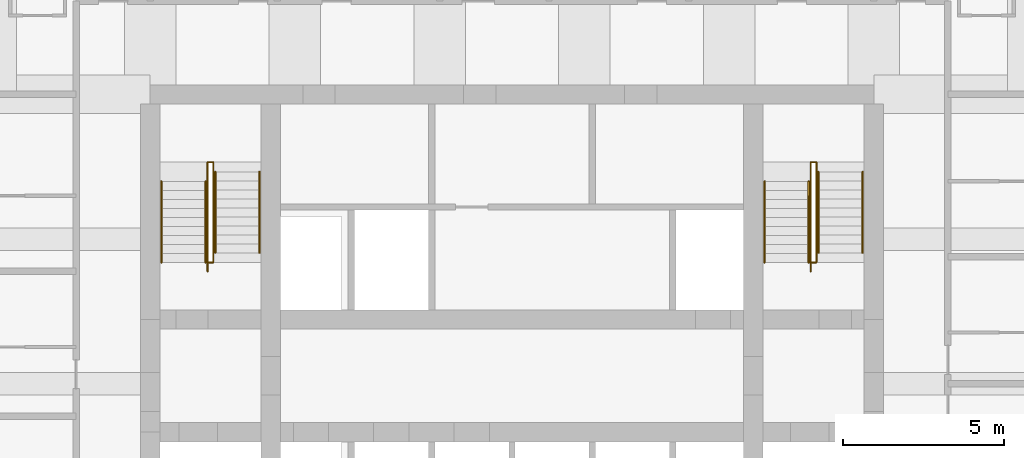
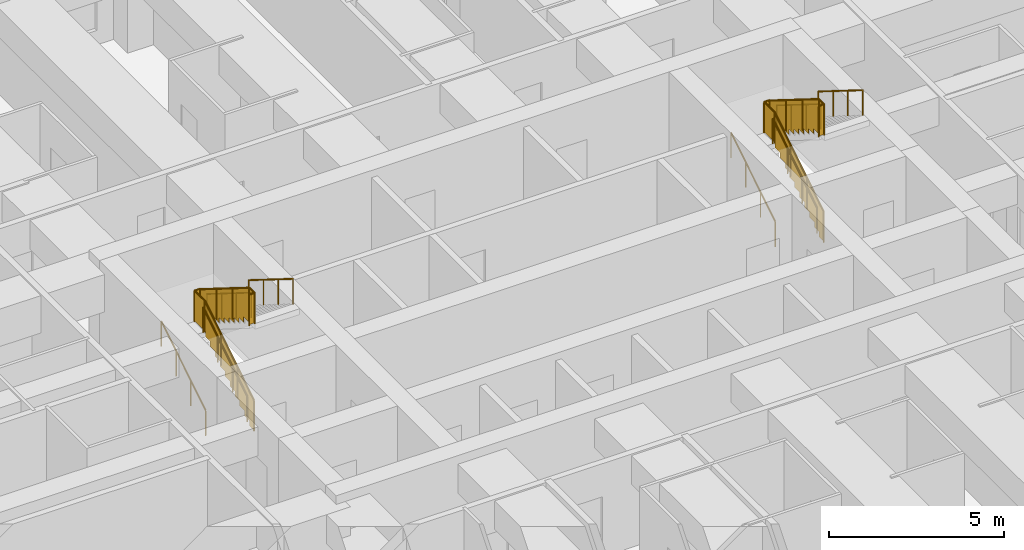
# One storey, part 8 of 8: 12 railings.
"""IFC4 building model written with IfcOpenShell, lengths in metres."""

from ifc_helpers import new_model, si_unit, direction, frame, origin, origin_2d, place, context, subcontext, project, spatial, polyline, circle, outline, extrude, material, type_object, element, save


model = new_model("IFC4")

# Units and contexts
model_context = context("Model", 3, precision=1e-05, world=origin(), true_north=direction((0.0, 1.0)))
body_context = subcontext(model_context, "Body", "Model", "MODEL_VIEW")
ifc_project = project(units=[si_unit("LENGTHUNIT", "METRE"), si_unit("AREAUNIT", "SQUARE_METRE"), si_unit("VOLUMEUNIT", "CUBIC_METRE"), si_unit("PLANEANGLEUNIT", "RADIAN"), si_unit("MASSUNIT", "GRAM", prefix="KILO")], contexts=[model_context])

# Site, building, storey
site_placement = place(None, origin())
site = spatial("IfcSite", under=ifc_project, at=site_placement, CompositionType="ELEMENT")
building_placement = place(site_placement, origin())
building = spatial("IfcBuilding", under=site, at=building_placement, Name="Kilele Tower Hotel", CompositionType="ELEMENT")
storey_placement = place(building_placement, frame((0.0, 0.0, 82.199951171875)))
storey = spatial("IfcBuildingStorey", under=building, at=storey_placement, Name="L20", CompositionType="ELEMENT", Elevation=82.199951171875)

# Railings
ifc_material_1 = material(Name="Steel handrail", Category="steel")
railing_type_1 = type_object("IfcRailingType", Name="Handrail 900", PredefinedType="HANDRAIL", material=ifc_material_1)
for number, where, name in (
    (1, (13.85009765625, 21.77490234375, 0.175048828125), "Handrail ST1 flight 1"),
    (2, (15.22509765625, 21.77490234375, 0.175048828125), "Handrail ST1 flight 1"),
):
    element("IfcRailing", number, at=place(storey_placement, frame(where)), inside=storey, type_object=railing_type_1, Name=name, PredefinedType="HANDRAIL", context=body_context, shape_type="SweptSolid", body=[
        extrude(circle(Radius=0.02490234375, at=origin_2d()), frame((0.0, 0.0, 0.875), z_axis=(0.0, 0.848007534815, 0.529984170421), x_axis=(-1.0, 0.0, 0.0)), (0.0, 0.0, 1.0), 2.9716796875),
        extrude(circle(Radius=0.02001953125, at=origin_2d()), origin(), (0.0, 0.0, 1.0), 0.849853515625),
        extrude(circle(Radius=0.02001953125, at=origin_2d()), frame((0.0, 0.840087890625, 0.52490234375)), (0.0, 0.0, 1.0), 0.849853515625),
        extrude(circle(Radius=0.02001953125, at=origin_2d()), frame((0.0, 1.679931640625, 1.050048828125)), (0.0, 0.0, 1.0), 0.849853515625),
        extrude(circle(Radius=0.02001953125, at=origin_2d()), frame((0.0, 2.52001953125, 1.574951171875)), (0.0, 0.0, 1.0), 0.849853515625),
    ])
for number, where, name in (
    (3, (15.52490234375, 24.594970703125, 1.925048828125), "Handrail ST1 flight 2"),
    (4, (16.89990234375, 24.594970703125, 1.925048828125), "Handrail ST1 flight 2"),
):
    element("IfcRailing", number, at=place(storey_placement, frame(where)), inside=storey, type_object=railing_type_1, Name=name, PredefinedType="HANDRAIL", context=body_context, shape_type="SweptSolid", body=[
        extrude(circle(Radius=0.02490234375, at=origin_2d()), frame((0.0, 0.0, 0.875), z_axis=(0.0, -0.848007534815, 0.529984170421), x_axis=(1.0, 0.0, 0.0)), (0.0, 0.0, 1.0), 2.9716796875),
        extrude(circle(Radius=0.02001953125, at=origin_2d()), origin(), (0.0, 0.0, 1.0), 0.849853515625),
        extrude(circle(Radius=0.02001953125, at=origin_2d()), frame((0.0, -0.840087890625, 0.52490234375)), (0.0, 0.0, 1.0), 0.849853515625),
        extrude(circle(Radius=0.02001953125, at=origin_2d()), frame((0.0, -1.679931640625, 1.050048828125)), (0.0, 0.0, 1.0), 0.849853515625),
        extrude(circle(Radius=0.02001953125, at=origin_2d()), frame((0.0, -2.52001953125, 1.574951171875)), (0.0, 0.0, 1.0), 0.849853515625),
    ])
for number, where, name in (
    (5, (32.60009765625, 21.77490234375, 0.175048828125), "Handrail ST2 flight 1"),
    (6, (33.97509765625, 21.77490234375, 0.175048828125), "Handrail ST2 flight 1"),
):
    element("IfcRailing", number, at=place(storey_placement, frame(where)), inside=storey, type_object=railing_type_1, Name=name, PredefinedType="HANDRAIL", context=body_context, shape_type="SweptSolid", body=[
        extrude(circle(Radius=0.02490234375, at=origin_2d()), frame((0.0, 0.0, 0.875), z_axis=(0.0, 0.848007534815, 0.529984170421), x_axis=(-1.0, 0.0, 0.0)), (0.0, 0.0, 1.0), 2.9716796875),
        extrude(circle(Radius=0.02001953125, at=origin_2d()), origin(), (0.0, 0.0, 1.0), 0.849853515625),
        extrude(circle(Radius=0.02001953125, at=origin_2d()), frame((0.0, 0.840087890625, 0.52490234375)), (0.0, 0.0, 1.0), 0.849853515625),
        extrude(circle(Radius=0.02001953125, at=origin_2d()), frame((0.0, 1.679931640625, 1.050048828125)), (0.0, 0.0, 1.0), 0.849853515625),
        extrude(circle(Radius=0.02001953125, at=origin_2d()), frame((0.0, 2.52001953125, 1.574951171875)), (0.0, 0.0, 1.0), 0.849853515625),
    ])
for number, where, name in (
    (7, (34.27490234375, 24.594970703125, 1.925048828125), "Handrail ST2 flight 2"),
    (8, (35.64990234375, 24.594970703125, 1.925048828125), "Handrail ST2 flight 2"),
):
    element("IfcRailing", number, at=place(storey_placement, frame(where)), inside=storey, type_object=railing_type_1, Name=name, PredefinedType="HANDRAIL", context=body_context, shape_type="SweptSolid", body=[
        extrude(circle(Radius=0.02490234375, at=origin_2d()), frame((0.0, 0.0, 0.875), z_axis=(0.0, -0.848007534815, 0.529984170421), x_axis=(1.0, 0.0, 0.0)), (0.0, 0.0, 1.0), 2.9716796875),
        extrude(circle(Radius=0.02001953125, at=origin_2d()), origin(), (0.0, 0.0, 1.0), 0.849853515625),
        extrude(circle(Radius=0.02001953125, at=origin_2d()), frame((0.0, -0.840087890625, 0.52490234375)), (0.0, 0.0, 1.0), 0.849853515625),
        extrude(circle(Radius=0.02001953125, at=origin_2d()), frame((0.0, -1.679931640625, 1.050048828125)), (0.0, 0.0, 1.0), 0.849853515625),
        extrude(circle(Radius=0.02001953125, at=origin_2d()), frame((0.0, -2.52001953125, 1.574951171875)), (0.0, 0.0, 1.0), 0.849853515625),
    ])
ifc_material_2 = material(Name="Steel guard", Category="steel")
railing_type_2 = type_object("IfcRailingType", Name="Stair guard 1100", PredefinedType="GUARDRAIL", material=ifc_material_2)
railing_1_placement = place(storey_placement, frame((15.284912109375, 21.4951171875, 0.0)))
element("IfcRailing", 9, at=railing_1_placement, inside=storey, type_object=railing_type_2, Name="Stair well guard ST1 flight 1", PredefinedType="GUARDRAIL", context=body_context, shape_type="SweptSolid", body=[
    extrude(circle(Radius=0.02490234375, at=origin_2d()), frame((0.0, 0.0, 1.0751953125), z_axis=(0.0, 0.847981687118, 0.530025526095), x_axis=(-1.0, 0.0, 0.0)), (0.0, 0.0, 1.0), 3.3017578125),
    extrude(circle(Radius=0.02490234375, at=origin_2d()), frame((0.0, 2.7998046875, 2.8251953125), z_axis=(0.0, 1.0, 0.0), x_axis=(-1.0, 0.0, 0.0)), (0.0, 0.0, 1.0), 0.60009765625),
    extrude(circle(Radius=0.02490234375, at=origin_2d()), frame((0.0, 3.39990234375, 2.8251953125), z_axis=(1.0, 0.0, 0.0), x_axis=(0.0, 1.0, 0.0)), (0.0, 0.0, 1.0), 0.18017578125),
    extrude(circle(Radius=0.02490234375, at=origin_2d()), origin(), (0.0, 0.0, 1.0), 1.050048828125),
    extrude(circle(Radius=0.02490234375, at=origin_2d()), frame((0.0, 0.933349609375, 0.583251953125)), (0.0, 0.0, 1.0), 1.050048828125),
    extrude(circle(Radius=0.02490234375, at=origin_2d()), frame((0.0, 1.866455078125, 1.166748046875)), (0.0, 0.0, 1.0), 1.050048828125),
    extrude(circle(Radius=0.02490234375, at=origin_2d()), frame((0.0, 2.7998046875, 1.75)), (0.0, 0.0, 1.0), 1.050048828125),
    extrude(circle(Radius=0.02490234375, at=origin_2d()), frame((0.0, 3.39990234375, 1.75)), (0.0, 0.0, 1.0), 1.050048828125),
    extrude(circle(Radius=0.02490234375, at=origin_2d()), frame((0.18017578125, 3.39990234375, 1.75)), (0.0, 0.0, 1.0), 1.050048828125),
    extrude(outline(polyline([(0.012451171875, 0.030029296875), (0.25, 0.030029296875), (0.25, 0.205078125), (0.530029296875, 0.205078125), (0.530029296875, 0.380126953125), (0.809814453125, 0.380126953125), (0.809814453125, 0.554931640625), (1.08984375, 0.554931640625), (1.08984375, 0.72998046875), (1.369873046875, 0.72998046875), (1.369873046875, 0.905029296875), (1.64990234375, 0.905029296875), (1.64990234375, 1.080078125), (1.929931640625, 1.080078125), (1.929931640625, 1.255126953125), (2.209716796875, 1.255126953125), (2.209716796875, 1.429931640625), (2.48974609375, 1.429931640625), (2.48974609375, 1.60498046875), (2.769775390625, 1.60498046875), (2.769775390625, 1.780029296875), (2.787353515625, 1.780029296875), (2.787353515625, 2.787841796875), (0.012451171875, 1.053466796875), (0.012451171875, 0.030029296875)])), frame((-0.005859375, 0.0, 0.0), z_axis=(1.0, 0.0, 0.0), x_axis=(0.0, 1.0, 0.0)), (0.0, 0.0, 1.0), 0.011962890625),
    extrude(outline(polyline([(0.012451171875, 0.030029296875), (0.587646484375, 0.030029296875), (0.587646484375, 1.050048828125), (0.012451171875, 1.050048828125), (0.012451171875, 0.030029296875)])), frame((-0.005859375, 2.7998046875, 1.75), z_axis=(1.0, 0.0, 0.0), x_axis=(0.0, 1.0, 0.0)), (0.0, 0.0, 1.0), 0.011962890625),
    extrude(outline(polyline([(0.012451171875, 0.030029296875), (0.18017578125, 0.030029296875), (0.18017578125, 1.050048828125), (0.012451171875, 1.050048828125), (0.012451171875, 0.030029296875)])), frame((0.0, 3.40576171875, 1.75), z_axis=(0.0, -1.0, 0.0), x_axis=(1.0, 0.0, 0.0)), (0.0, 0.0, 1.0), 0.011962890625),
])
railing_2_placement = place(storey_placement, frame((15.465087890625, 24.89501953125, 1.75)))
element("IfcRailing", 10, at=railing_2_placement, inside=storey, type_object=railing_type_2, Name="Stair well guard ST1 flight 2", PredefinedType="GUARDRAIL", context=body_context, shape_type="SweptSolid", body=[
    extrude(circle(Radius=0.02490234375, at=origin_2d()), frame((0.0, 0.0, 1.0751953125), z_axis=(0.0, -1.0, 0.0), x_axis=(1.0, 0.0, 0.0)), (0.0, 0.0, 1.0), 0.02001953125),
    extrude(circle(Radius=0.02490234375, at=origin_2d()), frame((0.0, -0.02001953125, 1.0751953125), z_axis=(0.0, -0.848002457836, 0.529992293815), x_axis=(1.0, 0.0, 0.0)), (0.0, 0.0, 1.0), 3.302001953125),
    extrude(circle(Radius=0.02490234375, at=origin_2d()), frame((0.0, -2.820068359375, 2.8251953125), z_axis=(0.0, -1.0, 0.0), x_axis=(1.0, 0.0, 0.0)), (0.0, 0.0, 1.0), 0.300048828125),
    extrude(circle(Radius=0.02490234375, at=origin_2d()), frame((0.0, -3.1201171875, 2.8251953125), z_axis=(-1.0, 0.0, 0.0), x_axis=(0.0, -1.0, 0.0)), (0.0, 0.0, 1.0), 0.18017578125),
    extrude(circle(Radius=0.02490234375, at=origin_2d()), origin(), (0.0, 0.0, 1.0), 1.050048828125),
    extrude(circle(Radius=0.02490234375, at=origin_2d()), frame((0.0, -0.02001953125, 0.0)), (0.0, 0.0, 1.0), 1.050048828125),
    extrude(circle(Radius=0.02490234375, at=origin_2d()), frame((0.0, -0.953369140625, 0.583251953125)), (0.0, 0.0, 1.0), 1.050048828125),
    extrude(circle(Radius=0.02490234375, at=origin_2d()), frame((0.0, -1.88671875, 1.166748046875)), (0.0, 0.0, 1.0), 1.050048828125),
    extrude(circle(Radius=0.02490234375, at=origin_2d()), frame((0.0, -2.820068359375, 1.75)), (0.0, 0.0, 1.0), 1.050048828125),
    extrude(circle(Radius=0.02490234375, at=origin_2d()), frame((0.0, -3.1201171875, 1.75)), (0.0, 0.0, 1.0), 1.050048828125),
    extrude(circle(Radius=0.02490234375, at=origin_2d()), frame((-0.18017578125, -3.1201171875, 1.75)), (0.0, 0.0, 1.0), 1.050048828125),
    extrude(outline(polyline([(0.012451171875, 0.030029296875), (0.25, 0.030029296875), (0.25, 0.205078125), (0.530029296875, 0.205078125), (0.530029296875, 0.380126953125), (0.81005859375, 0.380126953125), (0.81005859375, 0.554931640625), (1.090087890625, 0.554931640625), (1.090087890625, 0.72998046875), (1.3701171875, 0.72998046875), (1.3701171875, 0.905029296875), (1.64990234375, 0.905029296875), (1.64990234375, 1.080078125), (1.929931640625, 1.080078125), (1.929931640625, 1.255126953125), (2.2099609375, 1.255126953125), (2.2099609375, 1.429931640625), (2.489990234375, 1.429931640625), (2.489990234375, 1.60498046875), (2.77001953125, 1.60498046875), (2.77001953125, 1.780029296875), (2.78759765625, 1.780029296875), (2.78759765625, 2.787841796875), (0.012451171875, 1.053466796875), (0.012451171875, 0.030029296875)])), frame((0.005859375, -0.02001953125, 0.0), z_axis=(-1.0, 0.0, 0.0), x_axis=(0.0, -1.0, 0.0)), (0.0, 0.0, 1.0), 0.011962890625),
    extrude(outline(polyline([(0.012451171875, 0.030029296875), (0.28759765625, 0.030029296875), (0.28759765625, 1.050048828125), (0.012451171875, 1.050048828125), (0.012451171875, 0.030029296875)])), frame((0.005859375, -2.820068359375, 1.75), z_axis=(-1.0, 0.0, 0.0), x_axis=(0.0, -1.0, 0.0)), (0.0, 0.0, 1.0), 0.011962890625),
    extrude(outline(polyline([(0.012451171875, 0.030029296875), (0.18017578125, 0.030029296875), (0.18017578125, 1.050048828125), (0.012451171875, 1.050048828125), (0.012451171875, 0.030029296875)])), frame((0.0, -3.1259765625, 1.75), z_axis=(0.0, 1.0, 0.0), x_axis=(-1.0, 0.0, 0.0)), (0.0, 0.0, 1.0), 0.011962890625),
])
railing_3_placement = place(storey_placement, frame((34.034912109375, 21.4951171875, 0.0)))
element("IfcRailing", 11, at=railing_3_placement, inside=storey, type_object=railing_type_2, Name="Stair well guard ST2 flight 1", PredefinedType="GUARDRAIL", context=body_context, shape_type="SweptSolid", body=[
    extrude(circle(Radius=0.02490234375, at=origin_2d()), frame((0.0, 0.0, 1.0751953125), z_axis=(0.0, 0.847981687118, 0.530025526095), x_axis=(-1.0, 0.0, 0.0)), (0.0, 0.0, 1.0), 3.3017578125),
    extrude(circle(Radius=0.02490234375, at=origin_2d()), frame((0.0, 2.7998046875, 2.8251953125), z_axis=(0.0, 1.0, 0.0), x_axis=(-1.0, 0.0, 0.0)), (0.0, 0.0, 1.0), 0.60009765625),
    extrude(circle(Radius=0.02490234375, at=origin_2d()), frame((0.0, 3.39990234375, 2.8251953125), z_axis=(1.0, 0.0, 0.0), x_axis=(0.0, 1.0, 0.0)), (0.0, 0.0, 1.0), 0.18017578125),
    extrude(circle(Radius=0.02490234375, at=origin_2d()), origin(), (0.0, 0.0, 1.0), 1.050048828125),
    extrude(circle(Radius=0.02490234375, at=origin_2d()), frame((0.0, 0.933349609375, 0.583251953125)), (0.0, 0.0, 1.0), 1.050048828125),
    extrude(circle(Radius=0.02490234375, at=origin_2d()), frame((0.0, 1.866455078125, 1.166748046875)), (0.0, 0.0, 1.0), 1.050048828125),
    extrude(circle(Radius=0.02490234375, at=origin_2d()), frame((0.0, 2.7998046875, 1.75)), (0.0, 0.0, 1.0), 1.050048828125),
    extrude(circle(Radius=0.02490234375, at=origin_2d()), frame((0.0, 3.39990234375, 1.75)), (0.0, 0.0, 1.0), 1.050048828125),
    extrude(circle(Radius=0.02490234375, at=origin_2d()), frame((0.18017578125, 3.39990234375, 1.75)), (0.0, 0.0, 1.0), 1.050048828125),
    extrude(outline(polyline([(0.012451171875, 0.030029296875), (0.25, 0.030029296875), (0.25, 0.205078125), (0.530029296875, 0.205078125), (0.530029296875, 0.380126953125), (0.809814453125, 0.380126953125), (0.809814453125, 0.554931640625), (1.08984375, 0.554931640625), (1.08984375, 0.72998046875), (1.369873046875, 0.72998046875), (1.369873046875, 0.905029296875), (1.64990234375, 0.905029296875), (1.64990234375, 1.080078125), (1.929931640625, 1.080078125), (1.929931640625, 1.255126953125), (2.209716796875, 1.255126953125), (2.209716796875, 1.429931640625), (2.48974609375, 1.429931640625), (2.48974609375, 1.60498046875), (2.769775390625, 1.60498046875), (2.769775390625, 1.780029296875), (2.787353515625, 1.780029296875), (2.787353515625, 2.787841796875), (0.012451171875, 1.053466796875), (0.012451171875, 0.030029296875)])), frame((-0.005859375, 0.0, 0.0), z_axis=(1.0, 0.0, 0.0), x_axis=(0.0, 1.0, 0.0)), (0.0, 0.0, 1.0), 0.011962890625),
    extrude(outline(polyline([(0.012451171875, 0.030029296875), (0.587646484375, 0.030029296875), (0.587646484375, 1.050048828125), (0.012451171875, 1.050048828125), (0.012451171875, 0.030029296875)])), frame((-0.005859375, 2.7998046875, 1.75), z_axis=(1.0, 0.0, 0.0), x_axis=(0.0, 1.0, 0.0)), (0.0, 0.0, 1.0), 0.011962890625),
    extrude(outline(polyline([(0.012451171875, 0.030029296875), (0.18017578125, 0.030029296875), (0.18017578125, 1.050048828125), (0.012451171875, 1.050048828125), (0.012451171875, 0.030029296875)])), frame((0.0, 3.40576171875, 1.75), z_axis=(0.0, -1.0, 0.0), x_axis=(1.0, 0.0, 0.0)), (0.0, 0.0, 1.0), 0.011962890625),
])
railing_4_placement = place(storey_placement, frame((34.215087890625, 24.89501953125, 1.75)))
element("IfcRailing", 12, at=railing_4_placement, inside=storey, type_object=railing_type_2, Name="Stair well guard ST2 flight 2", PredefinedType="GUARDRAIL", context=body_context, shape_type="SweptSolid", body=[
    extrude(circle(Radius=0.02490234375, at=origin_2d()), frame((0.0, 0.0, 1.0751953125), z_axis=(0.0, -1.0, 0.0), x_axis=(1.0, 0.0, 0.0)), (0.0, 0.0, 1.0), 0.02001953125),
    extrude(circle(Radius=0.02490234375, at=origin_2d()), frame((0.0, -0.02001953125, 1.0751953125), z_axis=(0.0, -0.848002457836, 0.529992293815), x_axis=(1.0, 0.0, 0.0)), (0.0, 0.0, 1.0), 3.302001953125),
    extrude(circle(Radius=0.02490234375, at=origin_2d()), frame((0.0, -2.820068359375, 2.8251953125), z_axis=(0.0, -1.0, 0.0), x_axis=(1.0, 0.0, 0.0)), (0.0, 0.0, 1.0), 0.300048828125),
    extrude(circle(Radius=0.02490234375, at=origin_2d()), frame((0.0, -3.1201171875, 2.8251953125), z_axis=(-1.0, 0.0, 0.0), x_axis=(0.0, -1.0, 0.0)), (0.0, 0.0, 1.0), 0.18017578125),
    extrude(circle(Radius=0.02490234375, at=origin_2d()), origin(), (0.0, 0.0, 1.0), 1.050048828125),
    extrude(circle(Radius=0.02490234375, at=origin_2d()), frame((0.0, -0.02001953125, 0.0)), (0.0, 0.0, 1.0), 1.050048828125),
    extrude(circle(Radius=0.02490234375, at=origin_2d()), frame((0.0, -0.953369140625, 0.583251953125)), (0.0, 0.0, 1.0), 1.050048828125),
    extrude(circle(Radius=0.02490234375, at=origin_2d()), frame((0.0, -1.88671875, 1.166748046875)), (0.0, 0.0, 1.0), 1.050048828125),
    extrude(circle(Radius=0.02490234375, at=origin_2d()), frame((0.0, -2.820068359375, 1.75)), (0.0, 0.0, 1.0), 1.050048828125),
    extrude(circle(Radius=0.02490234375, at=origin_2d()), frame((0.0, -3.1201171875, 1.75)), (0.0, 0.0, 1.0), 1.050048828125),
    extrude(circle(Radius=0.02490234375, at=origin_2d()), frame((-0.18017578125, -3.1201171875, 1.75)), (0.0, 0.0, 1.0), 1.050048828125),
    extrude(outline(polyline([(0.012451171875, 0.030029296875), (0.25, 0.030029296875), (0.25, 0.205078125), (0.530029296875, 0.205078125), (0.530029296875, 0.380126953125), (0.81005859375, 0.380126953125), (0.81005859375, 0.554931640625), (1.090087890625, 0.554931640625), (1.090087890625, 0.72998046875), (1.3701171875, 0.72998046875), (1.3701171875, 0.905029296875), (1.64990234375, 0.905029296875), (1.64990234375, 1.080078125), (1.929931640625, 1.080078125), (1.929931640625, 1.255126953125), (2.2099609375, 1.255126953125), (2.2099609375, 1.429931640625), (2.489990234375, 1.429931640625), (2.489990234375, 1.60498046875), (2.77001953125, 1.60498046875), (2.77001953125, 1.780029296875), (2.78759765625, 1.780029296875), (2.78759765625, 2.787841796875), (0.012451171875, 1.053466796875), (0.012451171875, 0.030029296875)])), frame((0.005859375, -0.02001953125, 0.0), z_axis=(-1.0, 0.0, 0.0), x_axis=(0.0, -1.0, 0.0)), (0.0, 0.0, 1.0), 0.011962890625),
    extrude(outline(polyline([(0.012451171875, 0.030029296875), (0.28759765625, 0.030029296875), (0.28759765625, 1.050048828125), (0.012451171875, 1.050048828125), (0.012451171875, 0.030029296875)])), frame((0.005859375, -2.820068359375, 1.75), z_axis=(-1.0, 0.0, 0.0), x_axis=(0.0, -1.0, 0.0)), (0.0, 0.0, 1.0), 0.011962890625),
    extrude(outline(polyline([(0.012451171875, 0.030029296875), (0.18017578125, 0.030029296875), (0.18017578125, 1.050048828125), (0.012451171875, 1.050048828125), (0.012451171875, 0.030029296875)])), frame((0.0, -3.1259765625, 1.75), z_axis=(0.0, 1.0, 0.0), x_axis=(-1.0, 0.0, 0.0)), (0.0, 0.0, 1.0), 0.011962890625),
])

save(model, "model.ifc")
